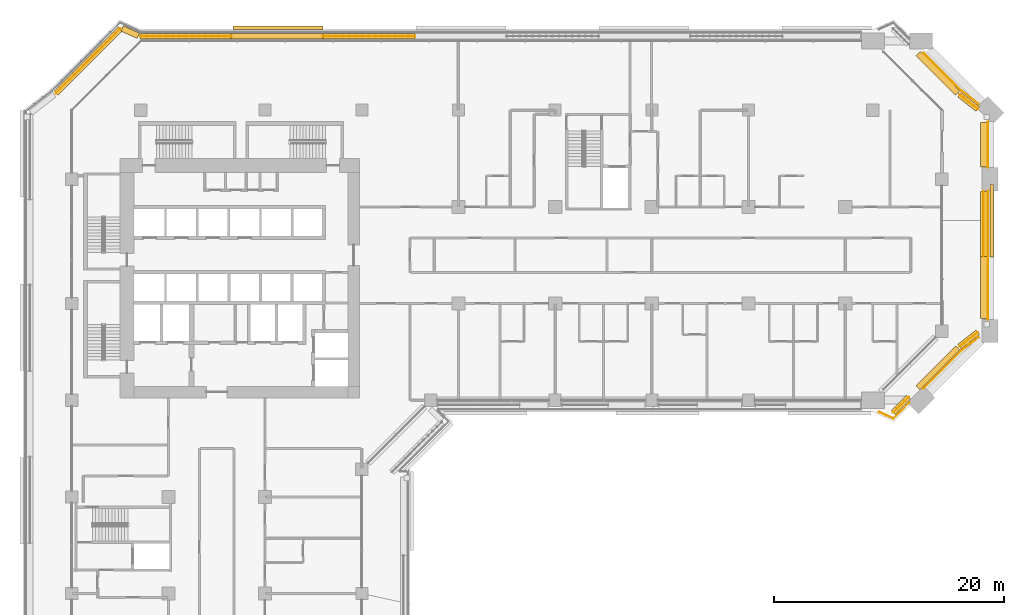
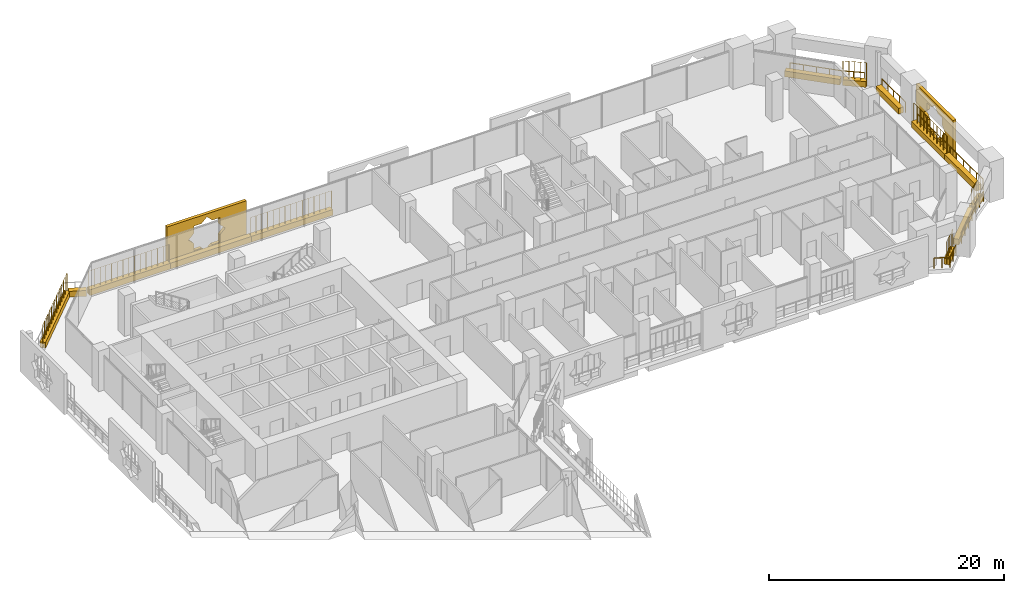
# One storey, part 26 of 27: 15 coverings, 12 railings.
"""IFC4 building model written with IfcOpenShell, lengths in metres."""

from ifc_helpers import new_model, si_unit, direction, frame, origin, origin_2d, place, context, subcontext, project, spatial, polyline, rectangle, circle, outline, extrude, material, material_profile, profile_set, type_object, element, save


model = new_model("IFC4")

# Units and contexts
model_context = context("Model", 3, precision=1e-05, world=origin(), true_north=direction((0.0, 1.0)))
body_context = subcontext(model_context, "Body", "Model", "MODEL_VIEW")
ifc_project = project(units=[si_unit("LENGTHUNIT", "METRE"), si_unit("AREAUNIT", "SQUARE_METRE"), si_unit("VOLUMEUNIT", "CUBIC_METRE"), si_unit("PLANEANGLEUNIT", "RADIAN"), si_unit("MASSUNIT", "GRAM", prefix="KILO")], contexts=[model_context])

# Site, building, storey
site_placement = place(None, origin())
site = spatial("IfcSite", under=ifc_project, at=site_placement, CompositionType="ELEMENT")
building_placement = place(site_placement, origin())
building = spatial("IfcBuilding", under=site, at=building_placement, Name="Kawkab Arch Medical Tower", CompositionType="ELEMENT")
storey_placement = place(building_placement, frame((0.0, 0.0, 115.60009765625)))
storey = spatial("IfcBuildingStorey", under=building, at=storey_placement, Name="L26", CompositionType="ELEMENT", Elevation=115.60009765625)

# Railings
ifc_material_1 = material(Name="Bronze anodised aluminium guard", Category="aluminium")
railing_type_1 = type_object("IfcRailingType", Name="Loggia and terrace guard 1100", PredefinedType="GUARDRAIL", material=ifc_material_1)
railing_1_placement = place(storey_placement, frame((74.02294921875, 4.969970703125, 0.0)))
element("IfcRailing", 1, at=railing_1_placement, inside=storey, type_object=railing_type_1, Name="Guard L26.LOG-01.1.3", PredefinedType="GUARDRAIL", context=body_context, shape_type="SweptSolid", body=[
    extrude(circle(Radius=0.02392578125, at=origin_2d()), frame((0.0, 0.0, 1.076171875), z_axis=(0.707106781187, -0.707106781187, 0.0), x_axis=(0.707106781187, 0.707106781187, 0.0)), (0.0, 0.0, 1.0), 4.641357421875),
    extrude(circle(Radius=0.02392578125, at=origin_2d()), frame((3.281982421875, -3.281982421875, 1.076171875), z_axis=(0.789253061044, -0.614068078989, 0.0), x_axis=(0.614068078989, 0.789253061044, 0.0)), (0.0, 0.0, 1.0), 1.856201171875),
    extrude(circle(Radius=0.02099609375, at=origin_2d()), origin(), (0.0, 0.0, 1.0), 1.052001953125),
    extrude(circle(Radius=0.02099609375, at=origin_2d()), frame((0.820556640625, -0.820556640625, 0.0)), (0.0, 0.0, 1.0), 1.052001953125),
    extrude(circle(Radius=0.02099609375, at=origin_2d()), frame((1.64111328125, -1.64111328125, 0.0)), (0.0, 0.0, 1.0), 1.052001953125),
    extrude(circle(Radius=0.02099609375, at=origin_2d()), frame((2.46142578125, -2.46142578125, 0.0)), (0.0, 0.0, 1.0), 1.052001953125),
    extrude(circle(Radius=0.02099609375, at=origin_2d()), frame((3.281982421875, -3.281982421875, 0.0)), (0.0, 0.0, 1.0), 1.052001953125),
    extrude(circle(Radius=0.02099609375, at=origin_2d()), frame((4.0146484375, -3.85205078125, 0.0)), (0.0, 0.0, 1.0), 1.052001953125),
    extrude(circle(Radius=0.02099609375, at=origin_2d()), frame((4.7470703125, -4.421875, 0.0)), (0.0, 0.0, 1.0), 1.052001953125),
])
railing_2_placement = place(storey_placement, frame((79.60009765625, -1.030029296875, 0.0)))
element("IfcRailing", 2, at=railing_2_placement, inside=storey, type_object=railing_type_1, Name="Guard L26.LOG-01.1.4", PredefinedType="GUARDRAIL", context=body_context, shape_type="SweptSolid", body=[
    extrude(circle(Radius=0.02392578125, at=origin_2d()), frame((0.0, 0.0, 1.076171875), z_axis=(0.0, -1.0, 0.0), x_axis=(1.0, 0.0, 0.0)), (0.0, 0.0, 1.0), 3.93994140625),
    extrude(circle(Radius=0.02099609375, at=origin_2d()), origin(), (0.0, 0.0, 1.0), 1.052001953125),
    extrude(circle(Radius=0.02099609375, at=origin_2d()), frame((0.0, -0.98486328125, 0.0)), (0.0, 0.0, 1.0), 1.052001953125),
    extrude(circle(Radius=0.02099609375, at=origin_2d()), frame((0.0, -1.969970703125, 0.0)), (0.0, 0.0, 1.0), 1.052001953125),
    extrude(circle(Radius=0.02099609375, at=origin_2d()), frame((0.0, -2.955078125, 0.0)), (0.0, 0.0, 1.0), 1.052001953125),
    extrude(circle(Radius=0.02099609375, at=origin_2d()), frame((0.0, -3.93994140625, 0.0)), (0.0, 0.0, 1.0), 1.052001953125),
])
railing_3_placement = place(storey_placement, frame((79.60009765625, -7.030029296875, 0.0)))
element("IfcRailing", 3, at=railing_3_placement, inside=storey, type_object=railing_type_1, Name="Guard L26.LOG-01.1.5", PredefinedType="GUARDRAIL", context=body_context, shape_type="SweptSolid", body=[
    extrude(circle(Radius=0.02392578125, at=origin_2d()), frame((0.0, 0.0, 1.076171875), z_axis=(0.0, -1.0, 0.0), x_axis=(1.0, 0.0, 0.0)), (0.0, 0.0, 1.0), 11.139892578125),
    extrude(circle(Radius=0.02099609375, at=origin_2d()), origin(), (0.0, 0.0, 1.0), 1.052001953125),
    extrude(circle(Radius=0.02099609375, at=origin_2d()), frame((0.0, -1.114013671875, 0.0)), (0.0, 0.0, 1.0), 1.052001953125),
    extrude(circle(Radius=0.02099609375, at=origin_2d()), frame((0.0, -2.22802734375, 0.0)), (0.0, 0.0, 1.0), 1.052001953125),
    extrude(circle(Radius=0.02099609375, at=origin_2d()), frame((0.0, -3.342041015625, 0.0)), (0.0, 0.0, 1.0), 1.052001953125),
    extrude(circle(Radius=0.02099609375, at=origin_2d()), frame((0.0, -4.4560546875, 0.0)), (0.0, 0.0, 1.0), 1.052001953125),
    extrude(circle(Radius=0.02099609375, at=origin_2d()), frame((0.0, -5.56982421875, 0.0)), (0.0, 0.0, 1.0), 1.052001953125),
    extrude(circle(Radius=0.02099609375, at=origin_2d()), frame((0.0, -6.683837890625, 0.0)), (0.0, 0.0, 1.0), 1.052001953125),
    extrude(circle(Radius=0.02099609375, at=origin_2d()), frame((0.0, -7.7978515625, 0.0)), (0.0, 0.0, 1.0), 1.052001953125),
    extrude(circle(Radius=0.02099609375, at=origin_2d()), frame((0.0, -8.911865234375, 0.0)), (0.0, 0.0, 1.0), 1.052001953125),
    extrude(circle(Radius=0.02099609375, at=origin_2d()), frame((0.0, -10.02587890625, 0.0)), (0.0, 0.0, 1.0), 1.052001953125),
    extrude(circle(Radius=0.02099609375, at=origin_2d()), frame((0.0, -11.139892578125, 0.0)), (0.0, 0.0, 1.0), 1.052001953125),
])
railing_4_placement = place(storey_placement, frame((78.77001953125, -19.748046875, 0.0)))
element("IfcRailing", 4, at=railing_4_placement, inside=storey, type_object=railing_type_1, Name="Guard L26.LOG-01.1.6", PredefinedType="GUARDRAIL", context=body_context, shape_type="SweptSolid", body=[
    extrude(circle(Radius=0.02392578125, at=origin_2d()), frame((0.0, 0.0, 1.076171875), z_axis=(-0.789253061044, -0.614068078989, 0.0), x_axis=(0.614068078989, -0.789253061044, 0.0)), (0.0, 0.0, 1.0), 1.856201171875),
    extrude(circle(Radius=0.02392578125, at=origin_2d()), frame((-1.465087890625, -1.139892578125, 1.076171875), z_axis=(-0.707106781187, -0.707106781187, 0.0), x_axis=(0.707106781187, -0.707106781187, 0.0)), (0.0, 0.0, 1.0), 4.641357421875),
    extrude(circle(Radius=0.02099609375, at=origin_2d()), origin(), (0.0, 0.0, 1.0), 1.052001953125),
    extrude(circle(Radius=0.02099609375, at=origin_2d()), frame((-0.732421875, -0.56982421875, 0.0)), (0.0, 0.0, 1.0), 1.052001953125),
    extrude(circle(Radius=0.02099609375, at=origin_2d()), frame((-1.465087890625, -1.139892578125, 0.0)), (0.0, 0.0, 1.0), 1.052001953125),
    extrude(circle(Radius=0.02099609375, at=origin_2d()), frame((-2.28564453125, -1.96044921875, 0.0)), (0.0, 0.0, 1.0), 1.052001953125),
    extrude(circle(Radius=0.02099609375, at=origin_2d()), frame((-3.10595703125, -2.78076171875, 0.0)), (0.0, 0.0, 1.0), 1.052001953125),
    extrude(circle(Radius=0.02099609375, at=origin_2d()), frame((-3.926513671875, -3.601318359375, 0.0)), (0.0, 0.0, 1.0), 1.052001953125),
    extrude(circle(Radius=0.02099609375, at=origin_2d()), frame((-4.7470703125, -4.421875, 0.0)), (0.0, 0.0, 1.0), 1.052001953125),
])
railing_5_placement = place(storey_placement, frame((72.77001953125, -25.423095703125, 0.0)))
element("IfcRailing", 5, at=railing_5_placement, inside=storey, type_object=railing_type_1, Name="Guard L26.LOG-01.1.7", PredefinedType="GUARDRAIL", context=body_context, shape_type="SweptSolid", body=[
    extrude(circle(Radius=0.02392578125, at=origin_2d()), frame((0.0, 0.0, 1.076171875), z_axis=(-0.707106781187, -0.707106781187, 0.0), x_axis=(0.707106781187, -0.707106781187, 0.0)), (0.0, 0.0, 1.0), 1.944580078125),
    extrude(circle(Radius=0.02392578125, at=origin_2d()), frame((-1.375, -1.375, 1.076171875), z_axis=(-0.910018386629, 0.414567890698, 0.0), x_axis=(-0.414567890698, -0.910018386629, 0.0)), (0.0, 0.0, 1.0), 1.370361328125),
    extrude(circle(Radius=0.02099609375, at=origin_2d()), origin(), (0.0, 0.0, 1.0), 1.052001953125),
    extrude(circle(Radius=0.02099609375, at=origin_2d()), frame((-0.6875, -0.6875, 0.0)), (0.0, 0.0, 1.0), 1.052001953125),
    extrude(circle(Radius=0.02099609375, at=origin_2d()), frame((-1.375, -1.375, 0.0)), (0.0, 0.0, 1.0), 1.052001953125),
    extrude(circle(Radius=0.02099609375, at=origin_2d()), frame((-1.99853515625, -1.0908203125, 0.0)), (0.0, 0.0, 1.0), 1.052001953125),
    extrude(circle(Radius=0.02099609375, at=origin_2d()), frame((-2.6220703125, -0.806884765625, 0.0)), (0.0, 0.0, 1.0), 1.052001953125),
])

# Coverings
ifc_material_2 = material(Name="Bronze anodised aluminium mashrabiya panel, eight-point star pattern", Category="aluminium")
ifc_material_profile_1 = material_profile(ifc_material_2, outline(polyline([(-3.14990234375, -2.10009765625), (3.14990234375, -2.10009765625), (3.14990234375, 2.10009765625), (-3.14990234375, 2.10009765625), (-3.14990234375, -2.10009765625)]), holes=[polyline([(1.800048828125, 0.0), (1.272705078125, 0.527099609375), (1.272705078125, 1.272705078125), (0.527099609375, 1.272705078125), (0.0, 1.800048828125), (-0.527099609375, 1.272705078125), (-1.272705078125, 1.272705078125), (-1.272705078125, 0.527099609375), (-1.800048828125, 0.0), (-1.272705078125, -0.527099609375), (-1.272705078125, -1.272705078125), (-0.527099609375, -1.272705078125), (0.0, -1.800048828125), (0.527099609375, -1.272705078125), (1.272705078125, -1.272705078125), (1.272705078125, -0.527099609375), (1.800048828125, 0.0)])]), Name="Mashrabiya panel 6300x4200")
ifc_profile_set_1 = profile_set([ifc_material_profile_1], Name="Bronze anodised aluminium mashrabiya panel, eight-point star pattern")
covering_type_1 = type_object("IfcCoveringType", Name="Mashrabiya panel 6300 x 4200", PredefinedType="USERDEFINED", material=ifc_profile_set_1)
covering_1_placement = place(storey_placement, frame((79.800048828125, -9.60009765625, 1.699951171875), z_axis=(1.0, 0.0, 0.0), x_axis=(0.0, 1.0, 0.0)))
element("IfcCovering", 6, at=covering_1_placement, inside=storey, type_object=covering_type_1, Name="Mashrabiya panel L26.LOG-01-01.10", ObjectType="SCREEN", PredefinedType="USERDEFINED", context=body_context, shape_type="SweptSolid", body=[
    extrude(outline(polyline([(-3.14990234375, -2.10009765625), (3.14990234375, -2.10009765625), (3.14990234375, 2.10009765625), (-3.14990234375, 2.10009765625), (-3.14990234375, -2.10009765625)]), holes=[polyline([(1.800048828125, 0.0), (1.272705078125, 0.527099609375), (1.272705078125, 1.272705078125), (0.527099609375, 1.272705078125), (0.0, 1.800048828125), (-0.527099609375, 1.272705078125), (-1.272705078125, 1.272705078125), (-1.272705078125, 0.527099609375), (-1.800048828125, 0.0), (-1.272705078125, -0.527099609375), (-1.272705078125, -1.272705078125), (-0.527099609375, -1.272705078125), (0.0, -1.800048828125), (0.527099609375, -1.272705078125), (1.272705078125, -1.272705078125), (1.272705078125, -0.527099609375), (1.800048828125, 0.0)])]), origin(), (0.0, 0.0, 1.0), 0.300048828125),
])
ifc_material_3 = material(Name="Bronze anodised aluminium mashrabiya panel, eight-point star pattern", Category="aluminium")
ifc_material_profile_2 = material_profile(ifc_material_3, outline(polyline([(-3.89990234375, -2.10009765625), (3.89990234375, -2.10009765625), (3.89990234375, 2.10009765625), (-3.89990234375, 2.10009765625), (-3.89990234375, -2.10009765625)]), holes=[polyline([(1.800048828125, 0.0), (1.272705078125, 0.527099609375), (1.272705078125, 1.272705078125), (0.527099609375, 1.272705078125), (0.0, 1.800048828125), (-0.527099609375, 1.272705078125), (-1.272705078125, 1.272705078125), (-1.272705078125, 0.527099609375), (-1.800048828125, 0.0), (-1.272705078125, -0.527099609375), (-1.272705078125, -1.272705078125), (-0.527099609375, -1.272705078125), (0.0, -1.800048828125), (0.527099609375, -1.272705078125), (1.272705078125, -1.272705078125), (1.272705078125, -0.527099609375), (1.800048828125, 0.0)])]), Name="Mashrabiya panel 7800x4200")
ifc_profile_set_2 = profile_set([ifc_material_profile_2], Name="Bronze anodised aluminium mashrabiya panel, eight-point star pattern")
covering_type_2 = type_object("IfcCoveringType", Name="Mashrabiya panel 7800 x 4200", PredefinedType="USERDEFINED", material=ifc_profile_set_2)
covering_2_placement = place(storey_placement, frame((17.923583984375, 7.0, 1.699951171875), z_axis=(0.0, 1.0, 0.0), x_axis=(-1.0, 0.0, 0.0)))
element("IfcCovering", 7, at=covering_2_placement, inside=storey, type_object=covering_type_2, Name="Mashrabiya panel L26.LOG-01-01.6", ObjectType="SCREEN", PredefinedType="USERDEFINED", context=body_context, shape_type="SweptSolid", body=[
    extrude(outline(polyline([(-3.89990234375, -2.10009765625), (3.89990234375, -2.10009765625), (3.89990234375, 2.10009765625), (-3.89990234375, 2.10009765625), (-3.89990234375, -2.10009765625)]), holes=[polyline([(1.800048828125, 0.0), (1.272705078125, 0.527099609375), (1.272705078125, 1.272705078125), (0.527099609375, 1.272705078125), (0.0, 1.800048828125), (-0.527099609375, 1.272705078125), (-1.272705078125, 1.272705078125), (-1.272705078125, 0.527099609375), (-1.800048828125, 0.0), (-1.272705078125, -0.527099609375), (-1.272705078125, -1.272705078125), (-0.527099609375, -1.272705078125), (0.0, -1.800048828125), (0.527099609375, -1.272705078125), (1.272705078125, -1.272705078125), (1.272705078125, -0.527099609375), (1.800048828125, 0.0)])]), origin(), (0.0, 0.0, 1.0), 0.300048828125),
])
ifc_material_4 = material(Name="Planting soil in a precast trough", Category="concrete")
ifc_material_profile_3 = material_profile(ifc_material_4, rectangle(XDim=0.5, YDim=0.60009765625, at=origin_2d()), Name="Trough 500x600")
ifc_profile_set_3 = profile_set([ifc_material_profile_3], Name="Planting soil in a precast trough")
covering_type_3 = type_object("IfcCoveringType", Name="Planter trough 500 x 600", PredefinedType="USERDEFINED", material=ifc_profile_set_3)
covering_3_placement = place(storey_placement, frame((-1.383056640625, 1.472900390625, 0.2998046875), z_axis=(0.707106781187, 0.707106781187, 0.0), x_axis=(-0.707106781187, 0.707106781187, 0.0)))
element("IfcCovering", 8, at=covering_3_placement, inside=storey, type_object=covering_type_3, Name="Planter L26.LOG-01-01.15", ObjectType="PLANTER", PredefinedType="USERDEFINED", context=body_context, shape_type="SweptSolid", body=[
    extrude(rectangle(XDim=0.5, YDim=0.60009765625, at=origin_2d()), origin(), (0.0, 0.0, 1.0), 7.919677734375),
])
covering_4_placement = place(storey_placement, frame((4.37890625, 7.10205078125, 0.2998046875), z_axis=(0.909655525109, -0.415363486165, 0.0), x_axis=(0.415363486165, 0.909655525109, 0.0)))
element("IfcCovering", 9, at=covering_4_placement, inside=storey, type_object=covering_type_3, Name="Planter L26.LOG-01-01.16", ObjectType="PLANTER", PredefinedType="USERDEFINED", context=body_context, shape_type="SweptSolid", body=[
    extrude(rectangle(XDim=0.5, YDim=0.60009765625, at=origin_2d()), origin(), (0.0, 0.0, 1.0), 1.54345703125),
])
covering_5_placement = place(storey_placement, frame((5.97412109375, 6.419921875, 0.2998046875), z_axis=(1.0, 0.0, 0.0), x_axis=(0.0, 1.0, 0.0)))
element("IfcCovering", 10, at=covering_5_placement, inside=storey, type_object=covering_type_3, Name="Planter L26.LOG-01-01.17", ObjectType="PLANTER", PredefinedType="USERDEFINED", context=body_context, shape_type="SweptSolid", body=[
    extrude(rectangle(XDim=0.5, YDim=0.60009765625, at=origin_2d()), origin(), (0.0, 0.0, 1.0), 7.8818359375),
])
covering_6_placement = place(storey_placement, frame((13.85595703125, 6.419921875, 0.2998046875), z_axis=(1.0, 0.0, 0.0), x_axis=(0.0, 1.0, 0.0)))
element("IfcCovering", 11, at=covering_6_placement, inside=storey, type_object=covering_type_3, Name="Planter L26.LOG-01-01.18", ObjectType="PLANTER", PredefinedType="USERDEFINED", context=body_context, shape_type="SweptSolid", body=[
    extrude(rectangle(XDim=0.5, YDim=0.60009765625, at=origin_2d()), origin(), (0.0, 0.0, 1.0), 7.98095703125),
])
covering_7_placement = place(storey_placement, frame((21.8369140625, 6.419921875, 0.2998046875), z_axis=(1.0, 0.0, 0.0), x_axis=(0.0, 1.0, 0.0)))
element("IfcCovering", 12, at=covering_7_placement, inside=storey, type_object=covering_type_3, Name="Planter L26.LOG-01-01.19", ObjectType="PLANTER", PredefinedType="USERDEFINED", context=body_context, shape_type="SweptSolid", body=[
    extrude(rectangle(XDim=0.5, YDim=0.60009765625, at=origin_2d()), origin(), (0.0, 0.0, 1.0), 7.982177734375),
])
covering_8_placement = place(storey_placement, frame((73.535888671875, 4.919921875, 0.2998046875), z_axis=(0.707106781187, -0.707106781187, 0.0), x_axis=(0.707106781187, 0.707106781187, 0.0)))
element("IfcCovering", 13, at=covering_8_placement, inside=storey, type_object=covering_type_3, Name="Planter L26.LOG-01-01.26", ObjectType="PLANTER", PredefinedType="USERDEFINED", context=body_context, shape_type="SweptSolid", body=[
    extrude(rectangle(XDim=0.5, YDim=0.60009765625, at=origin_2d()), origin(), (0.0, 0.0, 1.0), 4.874755859375),
])
covering_9_placement = place(storey_placement, frame((77.132080078125, 1.341064453125, 0.2998046875), z_axis=(0.789097367045, -0.614268137968, 0.0), x_axis=(0.614268137968, 0.789097367045, 0.0)))
element("IfcCovering", 14, at=covering_9_placement, inside=storey, type_object=covering_type_3, Name="Planter L26.LOG-01-01.27", ObjectType="PLANTER", PredefinedType="USERDEFINED", context=body_context, shape_type="SweptSolid", body=[
    extrude(rectangle(XDim=0.5, YDim=0.60009765625, at=origin_2d()), origin(), (0.0, 0.0, 1.0), 2.01220703125),
])
covering_10_placement = place(storey_placement, frame((79.219970703125, -1.080078125, 0.2998046875), z_axis=(0.0, -1.0, 0.0), x_axis=(1.0, 0.0, 0.0)))
element("IfcCovering", 15, at=covering_10_placement, inside=storey, type_object=covering_type_3, Name="Planter L26.LOG-01-01.28", ObjectType="PLANTER", PredefinedType="USERDEFINED", context=body_context, shape_type="SweptSolid", body=[
    extrude(rectangle(XDim=0.5, YDim=0.60009765625, at=origin_2d()), origin(), (0.0, 0.0, 1.0), 3.83984375),
])
covering_11_placement = place(storey_placement, frame((79.219970703125, -7.080078125, 0.2998046875), z_axis=(0.0, -1.0, 0.0), x_axis=(1.0, 0.0, 0.0)))
element("IfcCovering", 16, at=covering_11_placement, inside=storey, type_object=covering_type_3, Name="Planter L26.LOG-01-01.29", ObjectType="PLANTER", PredefinedType="USERDEFINED", context=body_context, shape_type="SweptSolid", body=[
    extrude(rectangle(XDim=0.5, YDim=0.60009765625, at=origin_2d()), origin(), (0.0, 0.0, 1.0), 5.625),
])
covering_12_placement = place(storey_placement, frame((79.219970703125, -12.705078125, 0.2998046875), z_axis=(0.0, -1.0, 0.0), x_axis=(1.0, 0.0, 0.0)))
element("IfcCovering", 17, at=covering_12_placement, inside=storey, type_object=covering_type_3, Name="Planter L26.LOG-01-01.30", ObjectType="PLANTER", PredefinedType="USERDEFINED", context=body_context, shape_type="SweptSolid", body=[
    extrude(rectangle(XDim=0.5, YDim=0.60009765625, at=origin_2d()), origin(), (0.0, 0.0, 1.0), 5.4150390625),
])
covering_13_placement = place(storey_placement, frame((78.719970703125, -19.304931640625, 0.2998046875), z_axis=(-0.789097367045, -0.614268137968, 0.0), x_axis=(0.614268137968, -0.789097367045, 0.0)))
element("IfcCovering", 18, at=covering_13_placement, inside=storey, type_object=covering_type_3, Name="Planter L26.LOG-01-01.31", ObjectType="PLANTER", PredefinedType="USERDEFINED", context=body_context, shape_type="SweptSolid", body=[
    extrude(rectangle(XDim=0.5, YDim=0.60009765625, at=origin_2d()), origin(), (0.0, 0.0, 1.0), 2.01220703125),
])
covering_14_placement = place(storey_placement, frame((76.98291015625, -20.673095703125, 0.2998046875), z_axis=(-0.707106781187, -0.707106781187, 0.0), x_axis=(0.707106781187, -0.707106781187, 0.0)))
element("IfcCovering", 19, at=covering_14_placement, inside=storey, type_object=covering_type_3, Name="Planter L26.LOG-01-01.32", ObjectType="PLANTER", PredefinedType="USERDEFINED", context=body_context, shape_type="SweptSolid", body=[
    extrude(rectangle(XDim=0.5, YDim=0.60009765625, at=origin_2d()), origin(), (0.0, 0.0, 1.0), 4.874755859375),
])
covering_15_placement = place(storey_placement, frame((72.719970703125, -24.93603515625, 0.2998046875), z_axis=(-0.707106781187, -0.707106781187, 0.0), x_axis=(0.707106781187, -0.707106781187, 0.0)))
element("IfcCovering", 20, at=covering_15_placement, inside=storey, type_object=covering_type_3, Name="Planter L26.LOG-01-01.33", ObjectType="PLANTER", PredefinedType="USERDEFINED", context=body_context, shape_type="SweptSolid", body=[
    extrude(rectangle(XDim=0.5, YDim=0.60009765625, at=origin_2d()), origin(), (0.0, 0.0, 1.0), 1.890625),
])

# Railings
ifc_material_5 = material(Name="Bronze anodised aluminium trellis for climbing plants", Category="aluminium")
railing_type_2 = type_object("IfcRailingType", Name="Planting trellis 2400", PredefinedType="USERDEFINED", material=ifc_material_5)
railing_6_placement = place(storey_placement, frame((-1.383056640625, 1.472900390625, 0.0)))
element("IfcRailing", 21, at=railing_6_placement, inside=storey, type_object=railing_type_2, Name="Planting trellis L26.LOG-01-01.15", ObjectType="TRELLIS", PredefinedType="USERDEFINED", context=body_context, shape_type="SweptSolid", body=[
    extrude(circle(Radius=0.01513671875, at=origin_2d()), frame((0.0, 0.0, 2.384765625), z_axis=(0.707106781187, 0.707106781187, 0.0), x_axis=(-0.707106781187, 0.707106781187, 0.0)), (0.0, 0.0, 1.0), 7.919677734375),
    extrude(circle(Radius=0.030029296875, at=origin_2d()), origin(), (0.0, 0.0, 1.0), 2.369873046875),
    extrude(circle(Radius=0.030029296875, at=origin_2d()), frame((0.39990234375, 0.39990234375, 0.0)), (0.0, 0.0, 1.0), 2.369873046875),
    extrude(circle(Radius=0.030029296875, at=origin_2d()), frame((0.800048828125, 0.800048828125, 0.0)), (0.0, 0.0, 1.0), 2.369873046875),
    extrude(circle(Radius=0.030029296875, at=origin_2d()), frame((1.199951171875, 1.199951171875, 0.0)), (0.0, 0.0, 1.0), 2.369873046875),
    extrude(circle(Radius=0.030029296875, at=origin_2d()), frame((1.60009765625, 1.60009765625, 0.0)), (0.0, 0.0, 1.0), 2.369873046875),
    extrude(circle(Radius=0.030029296875, at=origin_2d()), frame((2.0, 2.0, 0.0)), (0.0, 0.0, 1.0), 2.369873046875),
    extrude(circle(Radius=0.030029296875, at=origin_2d()), frame((2.400146484375, 2.400146484375, 0.0)), (0.0, 0.0, 1.0), 2.369873046875),
    extrude(circle(Radius=0.030029296875, at=origin_2d()), frame((2.800048828125, 2.800048828125, 0.0)), (0.0, 0.0, 1.0), 2.369873046875),
    extrude(circle(Radius=0.030029296875, at=origin_2d()), frame((3.199951171875, 3.199951171875, 0.0)), (0.0, 0.0, 1.0), 2.369873046875),
    extrude(circle(Radius=0.030029296875, at=origin_2d()), frame((3.60009765625, 3.60009765625, 0.0)), (0.0, 0.0, 1.0), 2.369873046875),
    extrude(circle(Radius=0.030029296875, at=origin_2d()), frame((4.0, 4.0, 0.0)), (0.0, 0.0, 1.0), 2.369873046875),
    extrude(circle(Radius=0.030029296875, at=origin_2d()), frame((4.400146484375, 4.400146484375, 0.0)), (0.0, 0.0, 1.0), 2.369873046875),
    extrude(circle(Radius=0.030029296875, at=origin_2d()), frame((4.800048828125, 4.800048828125, 0.0)), (0.0, 0.0, 1.0), 2.369873046875),
    extrude(circle(Radius=0.030029296875, at=origin_2d()), frame((5.2001953125, 5.2001953125, 0.0)), (0.0, 0.0, 1.0), 2.369873046875),
    extrude(circle(Radius=0.030029296875, at=origin_2d()), frame((5.60009765625, 5.60009765625, 0.0)), (0.0, 0.0, 1.0), 2.369873046875),
])
railing_7_placement = place(storey_placement, frame((5.97412109375, 6.419921875, 0.0)))
element("IfcRailing", 22, at=railing_7_placement, inside=storey, type_object=railing_type_2, Name="Planting trellis L26.LOG-01-01.17", ObjectType="TRELLIS", PredefinedType="USERDEFINED", context=body_context, shape_type="SweptSolid", body=[
    extrude(circle(Radius=0.01513671875, at=origin_2d()), frame((0.0, 0.0, 2.384765625), z_axis=(1.0, 0.0, 0.0), x_axis=(0.0, 1.0, 0.0)), (0.0, 0.0, 1.0), 7.8818359375),
    extrude(circle(Radius=0.030029296875, at=origin_2d()), origin(), (0.0, 0.0, 1.0), 2.369873046875),
    extrude(circle(Radius=0.030029296875, at=origin_2d()), frame((0.56298828125, 0.0, 0.0)), (0.0, 0.0, 1.0), 2.369873046875),
    extrude(circle(Radius=0.030029296875, at=origin_2d()), frame((1.1259765625, 0.0, 0.0)), (0.0, 0.0, 1.0), 2.369873046875),
    extrude(circle(Radius=0.030029296875, at=origin_2d()), frame((1.68896484375, 0.0, 0.0)), (0.0, 0.0, 1.0), 2.369873046875),
    extrude(circle(Radius=0.030029296875, at=origin_2d()), frame((2.251953125, 0.0, 0.0)), (0.0, 0.0, 1.0), 2.369873046875),
    extrude(circle(Radius=0.030029296875, at=origin_2d()), frame((2.81494140625, 0.0, 0.0)), (0.0, 0.0, 1.0), 2.369873046875),
    extrude(circle(Radius=0.030029296875, at=origin_2d()), frame((3.3779296875, 0.0, 0.0)), (0.0, 0.0, 1.0), 2.369873046875),
    extrude(circle(Radius=0.030029296875, at=origin_2d()), frame((3.94091796875, 0.0, 0.0)), (0.0, 0.0, 1.0), 2.369873046875),
    extrude(circle(Radius=0.030029296875, at=origin_2d()), frame((4.50390625, 0.0, 0.0)), (0.0, 0.0, 1.0), 2.369873046875),
    extrude(circle(Radius=0.030029296875, at=origin_2d()), frame((5.06689453125, 0.0, 0.0)), (0.0, 0.0, 1.0), 2.369873046875),
    extrude(circle(Radius=0.030029296875, at=origin_2d()), frame((5.6298828125, 0.0, 0.0)), (0.0, 0.0, 1.0), 2.369873046875),
    extrude(circle(Radius=0.030029296875, at=origin_2d()), frame((6.19287109375, 0.0, 0.0)), (0.0, 0.0, 1.0), 2.369873046875),
    extrude(circle(Radius=0.030029296875, at=origin_2d()), frame((6.755859375, 0.0, 0.0)), (0.0, 0.0, 1.0), 2.369873046875),
    extrude(circle(Radius=0.030029296875, at=origin_2d()), frame((7.31884765625, 0.0, 0.0)), (0.0, 0.0, 1.0), 2.369873046875),
    extrude(circle(Radius=0.030029296875, at=origin_2d()), frame((7.8818359375, 0.0, 0.0)), (0.0, 0.0, 1.0), 2.369873046875),
])
railing_8_placement = place(storey_placement, frame((21.8369140625, 6.419921875, 0.0)))
element("IfcRailing", 23, at=railing_8_placement, inside=storey, type_object=railing_type_2, Name="Planting trellis L26.LOG-01-01.19", ObjectType="TRELLIS", PredefinedType="USERDEFINED", context=body_context, shape_type="SweptSolid", body=[
    extrude(circle(Radius=0.01513671875, at=origin_2d()), frame((0.0, 0.0, 2.384765625), z_axis=(1.0, 0.0, 0.0), x_axis=(0.0, 1.0, 0.0)), (0.0, 0.0, 1.0), 7.982177734375),
    extrude(circle(Radius=0.030029296875, at=origin_2d()), origin(), (0.0, 0.0, 1.0), 2.369873046875),
    extrude(circle(Radius=0.030029296875, at=origin_2d()), frame((0.570068359375, 0.0, 0.0)), (0.0, 0.0, 1.0), 2.369873046875),
    extrude(circle(Radius=0.030029296875, at=origin_2d()), frame((1.140380859375, 0.0, 0.0)), (0.0, 0.0, 1.0), 2.369873046875),
    extrude(circle(Radius=0.030029296875, at=origin_2d()), frame((1.71044921875, 0.0, 0.0)), (0.0, 0.0, 1.0), 2.369873046875),
    extrude(circle(Radius=0.030029296875, at=origin_2d()), frame((2.280517578125, 0.0, 0.0)), (0.0, 0.0, 1.0), 2.369873046875),
    extrude(circle(Radius=0.030029296875, at=origin_2d()), frame((2.850830078125, 0.0, 0.0)), (0.0, 0.0, 1.0), 2.369873046875),
    extrude(circle(Radius=0.030029296875, at=origin_2d()), frame((3.4208984375, 0.0, 0.0)), (0.0, 0.0, 1.0), 2.369873046875),
    extrude(circle(Radius=0.030029296875, at=origin_2d()), frame((3.9912109375, 0.0, 0.0)), (0.0, 0.0, 1.0), 2.369873046875),
    extrude(circle(Radius=0.030029296875, at=origin_2d()), frame((4.561279296875, 0.0, 0.0)), (0.0, 0.0, 1.0), 2.369873046875),
    extrude(circle(Radius=0.030029296875, at=origin_2d()), frame((5.13134765625, 0.0, 0.0)), (0.0, 0.0, 1.0), 2.369873046875),
    extrude(circle(Radius=0.030029296875, at=origin_2d()), frame((5.70166015625, 0.0, 0.0)), (0.0, 0.0, 1.0), 2.369873046875),
    extrude(circle(Radius=0.030029296875, at=origin_2d()), frame((6.271728515625, 0.0, 0.0)), (0.0, 0.0, 1.0), 2.369873046875),
    extrude(circle(Radius=0.030029296875, at=origin_2d()), frame((6.841796875, 0.0, 0.0)), (0.0, 0.0, 1.0), 2.369873046875),
    extrude(circle(Radius=0.030029296875, at=origin_2d()), frame((7.412109375, 0.0, 0.0)), (0.0, 0.0, 1.0), 2.369873046875),
    extrude(circle(Radius=0.030029296875, at=origin_2d()), frame((7.982177734375, 0.0, 0.0)), (0.0, 0.0, 1.0), 2.369873046875),
])
railing_9_placement = place(storey_placement, frame((77.132080078125, 1.341064453125, 0.0)))
element("IfcRailing", 24, at=railing_9_placement, inside=storey, type_object=railing_type_2, Name="Planting trellis L26.LOG-01-01.27", ObjectType="TRELLIS", PredefinedType="USERDEFINED", context=body_context, shape_type="SweptSolid", body=[
    extrude(circle(Radius=0.01513671875, at=origin_2d()), frame((0.0, 0.0, 2.384765625), z_axis=(0.789097367045, -0.614268137968, 0.0), x_axis=(0.614268137968, 0.789097367045, 0.0)), (0.0, 0.0, 1.0), 2.01220703125),
    extrude(circle(Radius=0.030029296875, at=origin_2d()), origin(), (0.0, 0.0, 1.0), 2.369873046875),
    extrude(circle(Radius=0.030029296875, at=origin_2d()), frame((0.39697265625, -0.30908203125, 0.0)), (0.0, 0.0, 1.0), 2.369873046875),
    extrude(circle(Radius=0.030029296875, at=origin_2d()), frame((0.7939453125, -0.6181640625, 0.0)), (0.0, 0.0, 1.0), 2.369873046875),
    extrude(circle(Radius=0.030029296875, at=origin_2d()), frame((1.19091796875, -0.927001953125, 0.0)), (0.0, 0.0, 1.0), 2.369873046875),
    extrude(circle(Radius=0.030029296875, at=origin_2d()), frame((1.587890625, -1.236083984375, 0.0)), (0.0, 0.0, 1.0), 2.369873046875),
])
railing_10_placement = place(storey_placement, frame((79.219970703125, -7.080078125, 0.0)))
element("IfcRailing", 25, at=railing_10_placement, inside=storey, type_object=railing_type_2, Name="Planting trellis L26.LOG-01-01.29", ObjectType="TRELLIS", PredefinedType="USERDEFINED", context=body_context, shape_type="SweptSolid", body=[
    extrude(circle(Radius=0.01513671875, at=origin_2d()), frame((0.0, 0.0, 2.384765625), z_axis=(0.0, -1.0, 0.0), x_axis=(1.0, 0.0, 0.0)), (0.0, 0.0, 1.0), 5.625),
    extrude(circle(Radius=0.030029296875, at=origin_2d()), origin(), (0.0, 0.0, 1.0), 2.369873046875),
    extrude(circle(Radius=0.030029296875, at=origin_2d()), frame((0.0, -0.5625, 0.0)), (0.0, 0.0, 1.0), 2.369873046875),
    extrude(circle(Radius=0.030029296875, at=origin_2d()), frame((0.0, -1.125, 0.0)), (0.0, 0.0, 1.0), 2.369873046875),
    extrude(circle(Radius=0.030029296875, at=origin_2d()), frame((0.0, -1.6875, 0.0)), (0.0, 0.0, 1.0), 2.369873046875),
    extrude(circle(Radius=0.030029296875, at=origin_2d()), frame((0.0, -2.25, 0.0)), (0.0, 0.0, 1.0), 2.369873046875),
    extrude(circle(Radius=0.030029296875, at=origin_2d()), frame((0.0, -2.8125, 0.0)), (0.0, 0.0, 1.0), 2.369873046875),
    extrude(circle(Radius=0.030029296875, at=origin_2d()), frame((0.0, -3.375, 0.0)), (0.0, 0.0, 1.0), 2.369873046875),
    extrude(circle(Radius=0.030029296875, at=origin_2d()), frame((0.0, -3.9375, 0.0)), (0.0, 0.0, 1.0), 2.369873046875),
    extrude(circle(Radius=0.030029296875, at=origin_2d()), frame((0.0, -4.5, 0.0)), (0.0, 0.0, 1.0), 2.369873046875),
    extrude(circle(Radius=0.030029296875, at=origin_2d()), frame((0.0, -5.0625, 0.0)), (0.0, 0.0, 1.0), 2.369873046875),
    extrude(circle(Radius=0.030029296875, at=origin_2d()), frame((0.0, -5.625, 0.0)), (0.0, 0.0, 1.0), 2.369873046875),
])
railing_11_placement = place(storey_placement, frame((78.719970703125, -19.304931640625, 0.0)))
element("IfcRailing", 26, at=railing_11_placement, inside=storey, type_object=railing_type_2, Name="Planting trellis L26.LOG-01-01.31", ObjectType="TRELLIS", PredefinedType="USERDEFINED", context=body_context, shape_type="SweptSolid", body=[
    extrude(circle(Radius=0.01513671875, at=origin_2d()), frame((0.0, 0.0, 2.384765625), z_axis=(-0.789097367045, -0.614268137968, 0.0), x_axis=(0.614268137968, -0.789097367045, 0.0)), (0.0, 0.0, 1.0), 2.01220703125),
    extrude(circle(Radius=0.030029296875, at=origin_2d()), origin(), (0.0, 0.0, 1.0), 2.369873046875),
    extrude(circle(Radius=0.030029296875, at=origin_2d()), frame((-0.39697265625, -0.30908203125, 0.0)), (0.0, 0.0, 1.0), 2.369873046875),
    extrude(circle(Radius=0.030029296875, at=origin_2d()), frame((-0.7939453125, -0.6181640625, 0.0)), (0.0, 0.0, 1.0), 2.369873046875),
    extrude(circle(Radius=0.030029296875, at=origin_2d()), frame((-1.19091796875, -0.927001953125, 0.0)), (0.0, 0.0, 1.0), 2.369873046875),
    extrude(circle(Radius=0.030029296875, at=origin_2d()), frame((-1.587890625, -1.236083984375, 0.0)), (0.0, 0.0, 1.0), 2.369873046875),
])
railing_12_placement = place(storey_placement, frame((72.719970703125, -24.93603515625, 0.0)))
element("IfcRailing", 27, at=railing_12_placement, inside=storey, type_object=railing_type_2, Name="Planting trellis L26.LOG-01-01.33", ObjectType="TRELLIS", PredefinedType="USERDEFINED", context=body_context, shape_type="SweptSolid", body=[
    extrude(circle(Radius=0.01513671875, at=origin_2d()), frame((0.0, 0.0, 2.384765625), z_axis=(-0.707106781187, -0.707106781187, 0.0), x_axis=(0.707106781187, -0.707106781187, 0.0)), (0.0, 0.0, 1.0), 1.890625),
    extrude(circle(Radius=0.030029296875, at=origin_2d()), origin(), (0.0, 0.0, 1.0), 2.369873046875),
    extrude(circle(Radius=0.030029296875, at=origin_2d()), frame((-0.334228515625, -0.334228515625, 0.0)), (0.0, 0.0, 1.0), 2.369873046875),
    extrude(circle(Radius=0.030029296875, at=origin_2d()), frame((-0.66845703125, -0.66845703125, 0.0)), (0.0, 0.0, 1.0), 2.369873046875),
    extrude(circle(Radius=0.030029296875, at=origin_2d()), frame((-1.002685546875, -1.002685546875, 0.0)), (0.0, 0.0, 1.0), 2.369873046875),
    extrude(circle(Radius=0.030029296875, at=origin_2d()), frame((-1.3369140625, -1.3369140625, 0.0)), (0.0, 0.0, 1.0), 2.369873046875),
])

save(model, "model.ifc")
